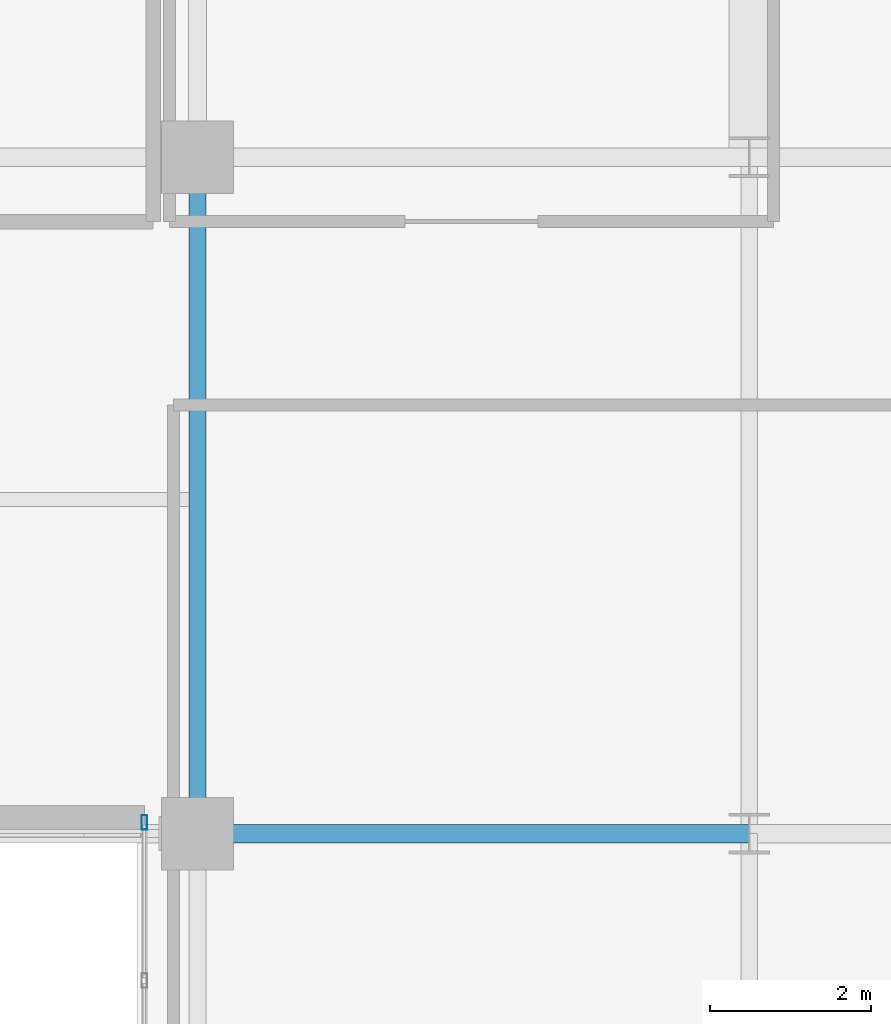
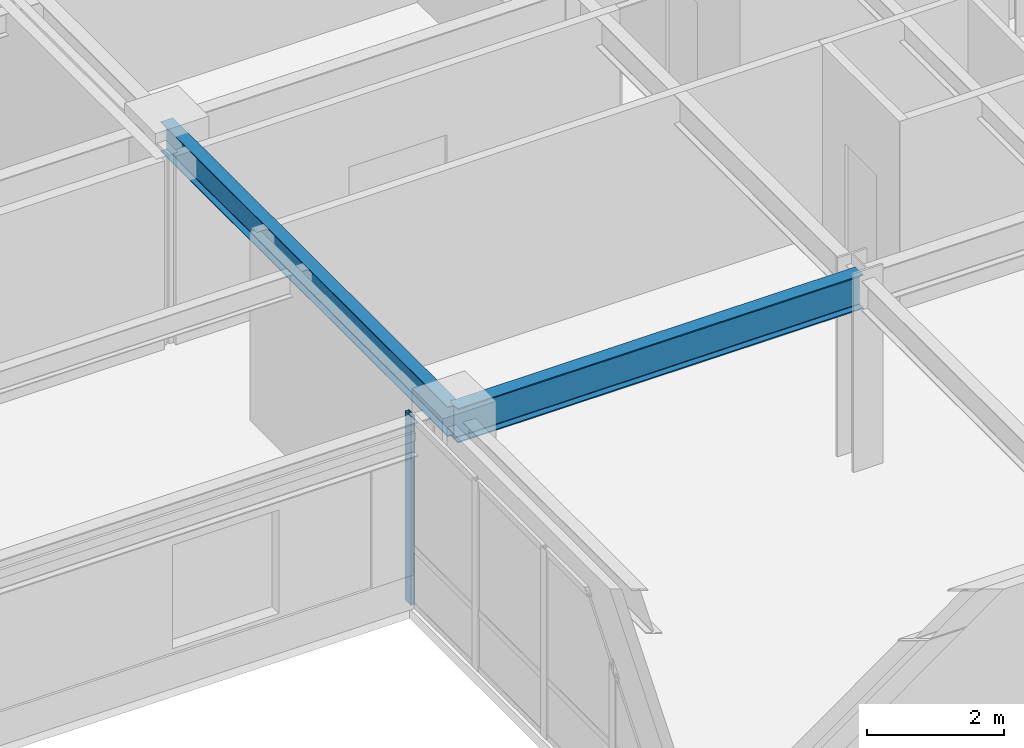
# One storey, part 13 of 31: 2 beams, 1 member, 1 element without a shape of its own.
"""IFC4 building model written with IfcOpenShell, lengths in metres."""

from ifc_helpers import new_model, si_unit, direction, frame, origin, origin_2d, place, context, subcontext, project, spatial, hollow_rectangle, i_section, extrude, source, transform, mapped, material, layer, layer_set, material_profile, profile_set, type_object, type_shapes, element, aggregate, save


model = new_model("IFC4")

# Units and contexts
model_context = context("Model", 3, precision=1e-05, world=origin(), true_north=direction((0.0, 1.0)))
body_context = subcontext(model_context, "Body", "Model", "MODEL_VIEW")
ifc_project = project(units=[si_unit("LENGTHUNIT", "METRE"), si_unit("AREAUNIT", "SQUARE_METRE"), si_unit("VOLUMEUNIT", "CUBIC_METRE"), si_unit("PLANEANGLEUNIT", "RADIAN"), si_unit("MASSUNIT", "GRAM", prefix="KILO")], contexts=[model_context])

# Site, building, storey
site_placement = place(None, origin())
site = spatial("IfcSite", under=ifc_project, at=site_placement, CompositionType="ELEMENT")
building_placement = place(site_placement, origin())
building = spatial("IfcBuilding", under=site, at=building_placement, Name="Tolvann Quenvar Hotel", CompositionType="ELEMENT")
storey_placement = place(building_placement, frame((0.0, 0.0, 125.75)))
storey = spatial("IfcBuildingStorey", under=building, at=storey_placement, Name="L32", CompositionType="ELEMENT", Elevation=125.75)

# Beams
ifc_material_1 = material(Name="Steel Grade 350", Category="steel")
ifc_material_profile_1 = material_profile(ifc_material_1, i_section(OverallWidth=0.22900390625, OverallDepth=0.612060546875, WebThickness=0.011962890625, FlangeThickness=0.01953125, FilletRadius=0.013916015625, at=origin_2d()), Name="610UB125")
ifc_profile_set_1 = profile_set([ifc_material_profile_1], Name="Steel Grade 350")
beam_type_1 = type_object("IfcBeamType", Name="BM_GIRD_610UB125", PredefinedType="BEAM", material=ifc_profile_set_1)
shared_shape_1 = source(origin(), body_context, "Body", "SweptSolid", [
    extrude(i_section(OverallWidth=0.22900390625, OverallDepth=0.612060546875, WebThickness=0.011962890625, FlangeThickness=0.01953125, FilletRadius=0.013916015625, at=origin_2d()), origin(), (0.0, 0.0, 1.0), 6.85009765625),
])
type_shapes(beam_type_1, [shared_shape_1])
beam_1_placement = place(storey_placement, frame((34.949951171875, 16.0, 3.06396484375), z_axis=(1.0, 0.0, 0.0), x_axis=(0.0, 1.0, 0.0)))
element("IfcBeam", 1, at=beam_1_placement, inside=storey, type_object=beam_type_1, Name="BM-L32-EW-4-F4-H4", PredefinedType="BEAM", context=body_context, shape_type="MappedRepresentation", body=[
    mapped(shared_shape_1, transform((0.0, 0.0, 0.0), x_axis=(1.0, 0.0, 0.0), y_axis=(0.0, 1.0, 0.0), z_axis=(0.0, 0.0, 1.0), scale=1.0)),
])
ifc_material_profile_2 = material_profile(ifc_material_1, i_section(OverallWidth=0.208984375, OverallDepth=0.532958984375, WebThickness=0.01025390625, FlangeThickness=0.015625, FilletRadius=0.013916015625, at=origin_2d()), Name="530UB92")
ifc_profile_set_2 = profile_set([ifc_material_profile_2], Name="Steel Grade 350")
beam_type_2 = type_object("IfcBeamType", Name="BM_GIRD_530UB92", PredefinedType="BEAM", material=ifc_profile_set_2)
shared_shape_2 = source(origin(), body_context, "Body", "SweptSolid", [
    extrude(i_section(OverallWidth=0.208984375, OverallDepth=0.532958984375, WebThickness=0.01025390625, FlangeThickness=0.015625, FilletRadius=0.013916015625, at=origin_2d()), origin(), (0.0, 0.0, 1.0), 8.39990234375),
])
type_shapes(beam_type_2, [shared_shape_2])
beam_2_placement = place(storey_placement, frame((34.949951171875, 16.0, 3.103515625), z_axis=(0.0, 1.0, 0.0), x_axis=(-1.0, 0.0, 0.0)))
element("IfcBeam", 2, at=beam_2_placement, inside=storey, type_object=beam_type_2, Name="BM-L32-NS-F4-F5", PredefinedType="BEAM", context=body_context, shape_type="MappedRepresentation", body=[
    mapped(shared_shape_2, transform((0.0, 0.0, 0.0), x_axis=(1.0, 0.0, 0.0), y_axis=(0.0, 1.0, 0.0), z_axis=(0.0, 0.0, 1.0), scale=1.0)),
])

# Curtain wall, member
ifc_material_2 = material(Name="Thermally broken anodised architectural aluminium 6063-T6 and laminated low-E glass", Category="aluminium")
ifc_layer = layer(ifc_material_2, 0.179931640625)
ifc_layer_set = layer_set([ifc_layer], Name="Thermally broken anodised architectural aluminium 6063-T6 and laminated low-E glass")
curtain_wall_type = type_object("IfcCurtainWallType", Name="CW_SYS_SLOT_03", PredefinedType="USERDEFINED", material=ifc_layer_set)
curtain_wall_placement = place(storey_placement, origin())
curtain_wall = element("IfcCurtainWall", 3, at=curtain_wall_placement, inside=storey, type_object=curtain_wall_type, Name="Curtain Wall CW-SLOT-03 (CWR-L32-E07)", ObjectType="UNITISED CURTAIN WALL", PredefinedType="USERDEFINED")
ifc_material_3 = material(Name="Anodised architectural aluminium 6063-T6 framing", Category="aluminium")
ifc_material_profile_3 = material_profile(ifc_material_3, hollow_rectangle(XDim=0.070068359375, YDim=0.179931640625, WallThickness=0.00390625, at=origin_2d()), Name="180x70x4RHS")
ifc_profile_set_3 = profile_set([ifc_material_profile_3], Name="Anodised architectural aluminium 6063-T6 framing")
member_type = type_object("IfcMemberType", Name="CW_MULL_180x70", PredefinedType="MULLION", material=ifc_profile_set_3)
shared_shape_3 = source(origin(), body_context, "Body", "SweptSolid", [
    extrude(hollow_rectangle(XDim=0.070068359375, YDim=0.179931640625, WallThickness=0.00390625, at=origin_2d()), origin(), (0.0, 0.0, 1.0), 3.3701171875),
])
type_shapes(member_type, [shared_shape_3])
member_placement = place(storey_placement, frame((34.2900390625, 16.139892578125, 0.0), z_axis=(0.0, 0.0, 1.0), x_axis=(1.0, 0.0, 0.0)))
member = element("IfcMember", 4, at=member_placement, type_object=member_type, Name="CW-SLOT-03 mullion 1", PredefinedType="MULLION", context=body_context, shape_type="MappedRepresentation", body=[
    mapped(shared_shape_3, transform((0.0, 0.0, 0.0), x_axis=(1.0, 0.0, 0.0), y_axis=(0.0, 1.0, 0.0), z_axis=(0.0, 0.0, 1.0), scale=1.0)),
])
aggregate(curtain_wall, [member])

save(model, "model.ifc")
